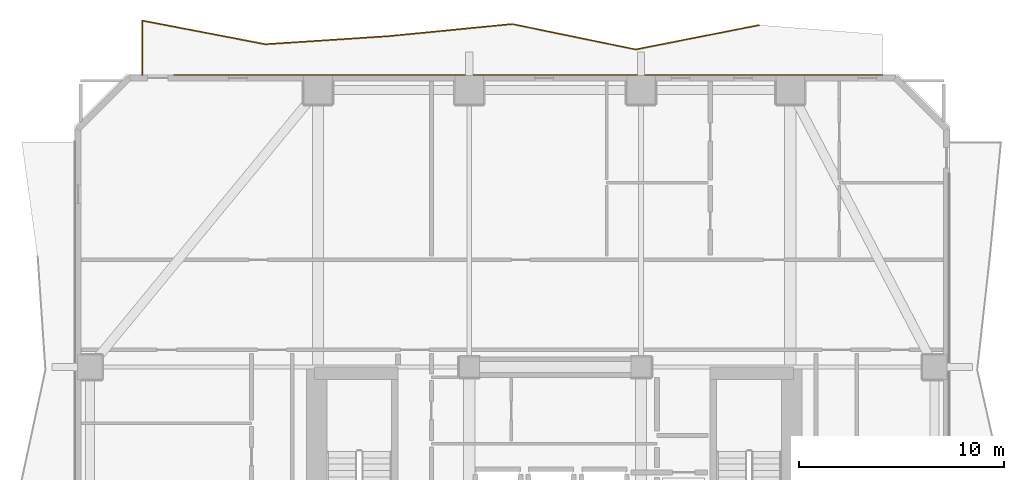
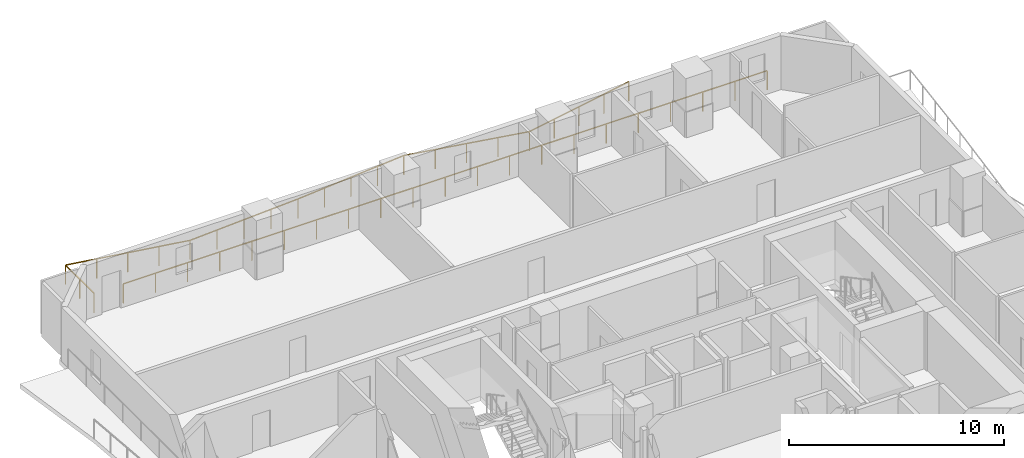
# One storey, part 10 of 10: 2 railings.
"""IFC4 building model written with IfcOpenShell, lengths in metres."""

from ifc_helpers import new_model, si_unit, direction, frame, origin, origin_2d, place, context, subcontext, project, spatial, rectangle, extrude, material, type_object, element, save


model = new_model("IFC4")

# Units and contexts
model_context = context("Model", 3, precision=1e-05, world=origin(), true_north=direction((0.0, 1.0)))
body_context = subcontext(model_context, "Body", "Model", "MODEL_VIEW")
ifc_project = project(units=[si_unit("LENGTHUNIT", "METRE"), si_unit("AREAUNIT", "SQUARE_METRE"), si_unit("VOLUMEUNIT", "CUBIC_METRE"), si_unit("PLANEANGLEUNIT", "RADIAN"), si_unit("MASSUNIT", "GRAM", prefix="KILO")], contexts=[model_context])

# Site, building, storey
site_placement = place(None, origin())
site = spatial("IfcSite", under=ifc_project, at=site_placement, CompositionType="ELEMENT")
building_placement = place(site_placement, origin())
building = spatial("IfcBuilding", under=site, at=building_placement, Name="Solanera Arch Residences", CompositionType="ELEMENT")
storey_placement = place(building_placement, frame((0.0, 0.0, 99.43994140625)))
storey = spatial("IfcBuildingStorey", under=building, at=storey_placement, Name="L28", CompositionType="ELEMENT", Elevation=99.43994140625)

# Railings
ifc_material = material(Name="Steel S355 (ASTM A992 / A572 Grade 50)", Category="steel")
railing_type = type_object("IfcRailingType", Name="Balustrade Railing BL-1100", PredefinedType="BALUSTRADE", material=ifc_material)
railing_1_placement = place(storey_placement, frame((34.967041015625, 56.1220703125, 0.0)))
element("IfcRailing", 1, at=railing_1_placement, inside=storey, type_object=railing_type, Name="L28 N Balcony Balustrade 1", PredefinedType="BALUSTRADE", context=body_context, shape_type="SweptSolid", body=[
    extrude(rectangle(XDim=0.048095703125, YDim=0.048095703125, at=origin_2d()), frame((0.0, 0.0, 1.09619140625), z_axis=(-0.981066188982, -0.193672746755, 0.0), x_axis=(0.193672746755, -0.981066188982, 0.0)), (0.0, 0.0, 1.0), 6.150390625),
    extrude(rectangle(XDim=0.048095703125, YDim=0.048095703125, at=origin_2d()), frame((-6.033935546875, -1.191162109375, 1.09619140625), z_axis=(-0.979423875993, 0.201813951787, 0.0), x_axis=(-0.201813951787, -0.979423875993, 0.0)), (0.0, 0.0, 1.0), 6.159912109375),
    extrude(rectangle(XDim=0.048095703125, YDim=0.048095703125, at=origin_2d()), frame((-12.067138671875, 0.052001953125, 1.09619140625), z_axis=(-0.995250585259, -0.097346148054, 0.0), x_axis=(0.097346148054, -0.995250585259, 0.0)), (0.0, 0.0, 1.0), 6.061767578125),
    extrude(rectangle(XDim=0.048095703125, YDim=0.048095703125, at=origin_2d()), frame((-18.10009765625, -0.5380859375, 1.09619140625), z_axis=(-0.997832245834, -0.065808883703, 0.0), x_axis=(0.065808883703, -0.997832245834, 0.0)), (0.0, 0.0, 1.0), 6.047119140625),
    extrude(rectangle(XDim=0.048095703125, YDim=0.048095703125, at=origin_2d()), frame((-24.134033203125, -0.93603515625, 1.09619140625), z_axis=(-0.982014666161, 0.188804648898, 0.0), x_axis=(-0.188804648898, -0.982014666161, 0.0)), (0.0, 0.0, 1.0), 6.1435546875),
    extrude(rectangle(XDim=0.048095703125, YDim=0.048095703125, at=origin_2d()), frame((-30.1669921875, 0.223876953125, 1.09619140625), z_axis=(0.0, -1.0, 0.0), x_axis=(1.0, 0.0, 0.0)), (0.0, 0.0, 1.0), 2.666015625),
    extrude(rectangle(XDim=0.0419921875, YDim=0.0419921875, at=origin_2d()), origin(), (0.0, 0.0, 1.0), 1.072021484375),
    extrude(rectangle(XDim=0.0419921875, YDim=0.0419921875, at=origin_2d()), frame((-1.508544921875, -0.2978515625, 0.0)), (0.0, 0.0, 1.0), 1.072021484375),
    extrude(rectangle(XDim=0.0419921875, YDim=0.0419921875, at=origin_2d()), frame((-3.01708984375, -0.595703125, 0.0)), (0.0, 0.0, 1.0), 1.072021484375),
    extrude(rectangle(XDim=0.0419921875, YDim=0.0419921875, at=origin_2d()), frame((-4.525390625, -0.893310546875, 0.0)), (0.0, 0.0, 1.0), 1.072021484375),
    extrude(rectangle(XDim=0.0419921875, YDim=0.0419921875, at=origin_2d()), frame((-6.033935546875, -1.191162109375, 0.0)), (0.0, 0.0, 1.0), 1.072021484375),
    extrude(rectangle(XDim=0.0419921875, YDim=0.0419921875, at=origin_2d()), frame((-7.542236328125, -0.88037109375, 0.0)), (0.0, 0.0, 1.0), 1.072021484375),
    extrude(rectangle(XDim=0.0419921875, YDim=0.0419921875, at=origin_2d()), frame((-9.050537109375, -0.569580078125, 0.0)), (0.0, 0.0, 1.0), 1.072021484375),
    extrude(rectangle(XDim=0.0419921875, YDim=0.0419921875, at=origin_2d()), frame((-10.558837890625, -0.2587890625, 0.0)), (0.0, 0.0, 1.0), 1.072021484375),
    extrude(rectangle(XDim=0.0419921875, YDim=0.0419921875, at=origin_2d()), frame((-12.067138671875, 0.052001953125, 0.0)), (0.0, 0.0, 1.0), 1.072021484375),
    extrude(rectangle(XDim=0.0419921875, YDim=0.0419921875, at=origin_2d()), frame((-13.575439453125, -0.095458984375, 0.0)), (0.0, 0.0, 1.0), 1.072021484375),
    extrude(rectangle(XDim=0.0419921875, YDim=0.0419921875, at=origin_2d()), frame((-15.08349609375, -0.2431640625, 0.0)), (0.0, 0.0, 1.0), 1.072021484375),
    extrude(rectangle(XDim=0.0419921875, YDim=0.0419921875, at=origin_2d()), frame((-16.591796875, -0.390625, 0.0)), (0.0, 0.0, 1.0), 1.072021484375),
    extrude(rectangle(XDim=0.0419921875, YDim=0.0419921875, at=origin_2d()), frame((-18.10009765625, -0.5380859375, 0.0)), (0.0, 0.0, 1.0), 1.072021484375),
    extrude(rectangle(XDim=0.0419921875, YDim=0.0419921875, at=origin_2d()), frame((-19.608642578125, -0.6376953125, 0.0)), (0.0, 0.0, 1.0), 1.072021484375),
    extrude(rectangle(XDim=0.0419921875, YDim=0.0419921875, at=origin_2d()), frame((-21.1171875, -0.737060546875, 0.0)), (0.0, 0.0, 1.0), 1.072021484375),
    extrude(rectangle(XDim=0.0419921875, YDim=0.0419921875, at=origin_2d()), frame((-22.62548828125, -0.83642578125, 0.0)), (0.0, 0.0, 1.0), 1.072021484375),
    extrude(rectangle(XDim=0.0419921875, YDim=0.0419921875, at=origin_2d()), frame((-24.134033203125, -0.93603515625, 0.0)), (0.0, 0.0, 1.0), 1.072021484375),
    extrude(rectangle(XDim=0.0419921875, YDim=0.0419921875, at=origin_2d()), frame((-25.642333984375, -0.64599609375, 0.0)), (0.0, 0.0, 1.0), 1.072021484375),
    extrude(rectangle(XDim=0.0419921875, YDim=0.0419921875, at=origin_2d()), frame((-27.150390625, -0.35595703125, 0.0)), (0.0, 0.0, 1.0), 1.072021484375),
    extrude(rectangle(XDim=0.0419921875, YDim=0.0419921875, at=origin_2d()), frame((-28.65869140625, -0.066162109375, 0.0)), (0.0, 0.0, 1.0), 1.072021484375),
    extrude(rectangle(XDim=0.0419921875, YDim=0.0419921875, at=origin_2d()), frame((-30.1669921875, 0.223876953125, 0.0)), (0.0, 0.0, 1.0), 1.072021484375),
    extrude(rectangle(XDim=0.0419921875, YDim=0.0419921875, at=origin_2d()), frame((-30.1669921875, -1.109130859375, 0.0)), (0.0, 0.0, 1.0), 1.072021484375),
    extrude(rectangle(XDim=0.0419921875, YDim=0.0419921875, at=origin_2d()), frame((-30.1669921875, -2.442138671875, 0.0)), (0.0, 0.0, 1.0), 1.072021484375),
])
railing_2_placement = place(storey_placement, frame((6.365966796875, 53.679931640625, 0.0)))
element("IfcRailing", 2, at=railing_2_placement, inside=storey, type_object=railing_type, Name="L28 N Balcony Balustrade 2", PredefinedType="BALUSTRADE", context=body_context, shape_type="SweptSolid", body=[
    extrude(rectangle(XDim=0.048095703125, YDim=0.048095703125, at=origin_2d()), frame((0.0, 0.0, 1.09619140625), z_axis=(1.0, 0.0, 0.0), x_axis=(0.0, 1.0, 0.0)), (0.0, 0.0, 1.0), 34.634033203125),
    extrude(rectangle(XDim=0.0419921875, YDim=0.0419921875, at=origin_2d()), origin(), (0.0, 0.0, 1.0), 1.072021484375),
    extrude(rectangle(XDim=0.0419921875, YDim=0.0419921875, at=origin_2d()), frame((1.731689453125, 0.0, 0.0)), (0.0, 0.0, 1.0), 1.072021484375),
    extrude(rectangle(XDim=0.0419921875, YDim=0.0419921875, at=origin_2d()), frame((3.46337890625, 0.0, 0.0)), (0.0, 0.0, 1.0), 1.072021484375),
    extrude(rectangle(XDim=0.0419921875, YDim=0.0419921875, at=origin_2d()), frame((5.195068359375, 0.0, 0.0)), (0.0, 0.0, 1.0), 1.072021484375),
    extrude(rectangle(XDim=0.0419921875, YDim=0.0419921875, at=origin_2d()), frame((6.9267578125, 0.0, 0.0)), (0.0, 0.0, 1.0), 1.072021484375),
    extrude(rectangle(XDim=0.0419921875, YDim=0.0419921875, at=origin_2d()), frame((8.658447265625, 0.0, 0.0)), (0.0, 0.0, 1.0), 1.072021484375),
    extrude(rectangle(XDim=0.0419921875, YDim=0.0419921875, at=origin_2d()), frame((10.39013671875, 0.0, 0.0)), (0.0, 0.0, 1.0), 1.072021484375),
    extrude(rectangle(XDim=0.0419921875, YDim=0.0419921875, at=origin_2d()), frame((12.121826171875, 0.0, 0.0)), (0.0, 0.0, 1.0), 1.072021484375),
    extrude(rectangle(XDim=0.0419921875, YDim=0.0419921875, at=origin_2d()), frame((13.853515625, 0.0, 0.0)), (0.0, 0.0, 1.0), 1.072021484375),
    extrude(rectangle(XDim=0.0419921875, YDim=0.0419921875, at=origin_2d()), frame((15.585205078125, 0.0, 0.0)), (0.0, 0.0, 1.0), 1.072021484375),
    extrude(rectangle(XDim=0.0419921875, YDim=0.0419921875, at=origin_2d()), frame((17.31689453125, 0.0, 0.0)), (0.0, 0.0, 1.0), 1.072021484375),
    extrude(rectangle(XDim=0.0419921875, YDim=0.0419921875, at=origin_2d()), frame((19.048828125, 0.0, 0.0)), (0.0, 0.0, 1.0), 1.072021484375),
    extrude(rectangle(XDim=0.0419921875, YDim=0.0419921875, at=origin_2d()), frame((20.780517578125, 0.0, 0.0)), (0.0, 0.0, 1.0), 1.072021484375),
    extrude(rectangle(XDim=0.0419921875, YDim=0.0419921875, at=origin_2d()), frame((22.51220703125, 0.0, 0.0)), (0.0, 0.0, 1.0), 1.072021484375),
    extrude(rectangle(XDim=0.0419921875, YDim=0.0419921875, at=origin_2d()), frame((24.243896484375, 0.0, 0.0)), (0.0, 0.0, 1.0), 1.072021484375),
    extrude(rectangle(XDim=0.0419921875, YDim=0.0419921875, at=origin_2d()), frame((25.9755859375, 0.0, 0.0)), (0.0, 0.0, 1.0), 1.072021484375),
    extrude(rectangle(XDim=0.0419921875, YDim=0.0419921875, at=origin_2d()), frame((27.707275390625, 0.0, 0.0)), (0.0, 0.0, 1.0), 1.072021484375),
    extrude(rectangle(XDim=0.0419921875, YDim=0.0419921875, at=origin_2d()), frame((29.43896484375, 0.0, 0.0)), (0.0, 0.0, 1.0), 1.072021484375),
    extrude(rectangle(XDim=0.0419921875, YDim=0.0419921875, at=origin_2d()), frame((31.170654296875, 0.0, 0.0)), (0.0, 0.0, 1.0), 1.072021484375),
    extrude(rectangle(XDim=0.0419921875, YDim=0.0419921875, at=origin_2d()), frame((32.90234375, 0.0, 0.0)), (0.0, 0.0, 1.0), 1.072021484375),
    extrude(rectangle(XDim=0.0419921875, YDim=0.0419921875, at=origin_2d()), frame((34.634033203125, 0.0, 0.0)), (0.0, 0.0, 1.0), 1.072021484375),
])

save(model, "model.ifc")
